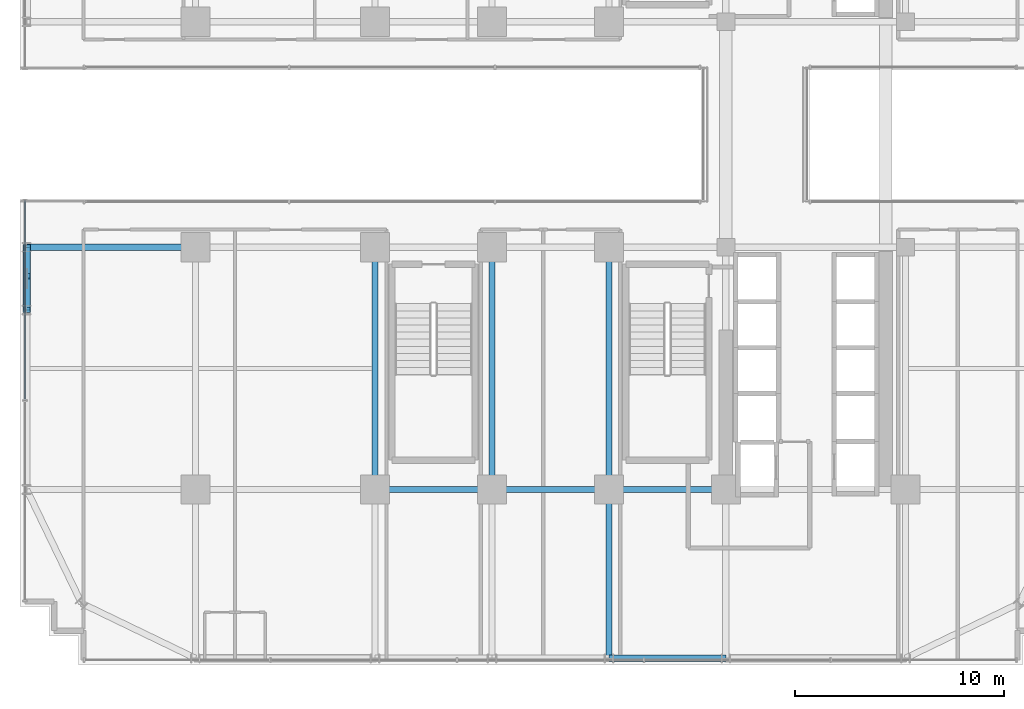
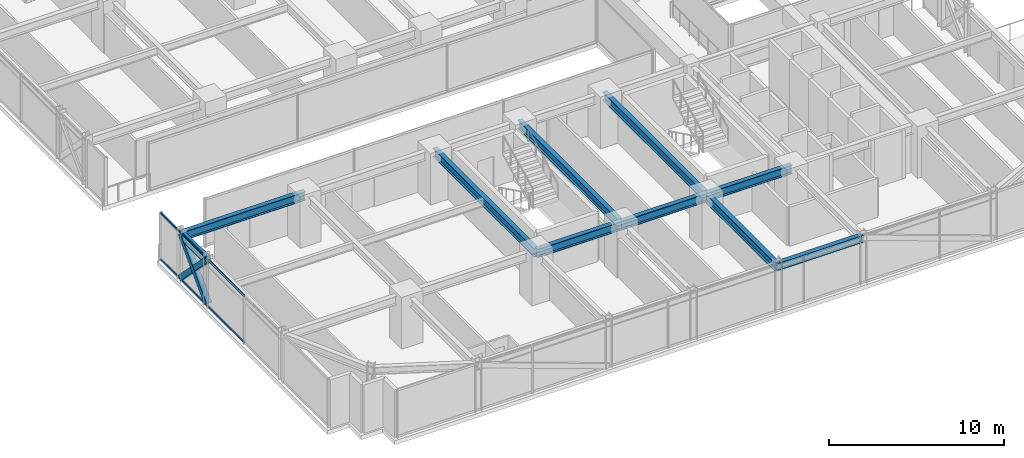
# One storey, part 8 of 41: 10 beams, 5 members, 1 element without a shape of its own.
"""IFC4 building model written with IfcOpenShell, lengths in metres."""

from ifc_helpers import new_model, si_unit, direction, frame, origin, origin_2d, place, context, subcontext, project, spatial, hollow_rectangle, i_section, extrude, source, transform, mapped, material, material_profile, profile_set, type_object, element, aggregate, save


model = new_model("IFC4")

# Units and contexts
model_context = context("Model", 3, precision=1e-05, world=origin(), true_north=direction((0.0, 1.0)))
body_context = subcontext(model_context, "Body", "Model", "MODEL_VIEW")
ifc_project = project(units=[si_unit("LENGTHUNIT", "METRE"), si_unit("AREAUNIT", "SQUARE_METRE"), si_unit("VOLUMEUNIT", "CUBIC_METRE"), si_unit("PLANEANGLEUNIT", "RADIAN"), si_unit("MASSUNIT", "GRAM", prefix="KILO")], contexts=[model_context])

# Site, building, storey
site_placement = place(None, origin())
site = spatial("IfcSite", under=ifc_project, at=site_placement, CompositionType="ELEMENT")
building_placement = place(site_placement, origin())
building = spatial("IfcBuilding", under=site, at=building_placement, Name="Nahalor Promenade Grand Hotel", CompositionType="ELEMENT")
storey_placement = place(building_placement, frame((0.0, 0.0, 54.300048828125)))
storey = spatial("IfcBuildingStorey", under=building, at=storey_placement, Name="L12", CompositionType="ELEMENT", Elevation=54.300048828125)

# Beams
ifc_material_1 = material(Name="Steel S355JR", Category="steel")
ifc_material_profile_1 = material_profile(ifc_material_1, i_section(OverallWidth=0.3, OverallDepth=0.6, WebThickness=0.0155, FlangeThickness=0.03, at=origin_2d()), Name="HEB 600")
ifc_profile_set_1 = profile_set([ifc_material_profile_1], Name="Steel S355JR")
beam_type_1 = type_object("IfcBeamType", Name="Beam-Girder-HEB600", PredefinedType="BEAM", material=ifc_profile_set_1)
shared_shape_1 = source(origin(), body_context, "Body", "SweptSolid", [
    extrude(i_section(OverallWidth=0.3, OverallDepth=0.6, WebThickness=0.0155, FlangeThickness=0.03, at=origin_2d()), origin(), (0.0, 0.0, 1.0), 5.599853515625),
])
for number, where, z_axis, x_axis, name in (
    (1, (-8.39990234375, -17.0, 3.070068359375), (1.0, 0.0, 0.0), (0.0, 1.0, 0.0), "BM-L12-GX-0-2"),
    (2, (2.800048828125, -17.0, 3.070068359375), (1.0, 0.0, 0.0), (0.0, 1.0, 0.0), "BM-L12-GX-0-4"),
):
    element("IfcBeam", number, at=place(storey_placement, frame(where, z_axis=z_axis, x_axis=x_axis)), inside=storey, type_object=beam_type_1, Name=name, PredefinedType="BEAM", context=body_context, shape_type="MappedRepresentation", body=[
        mapped(shared_shape_1, transform((0.0, 0.0, 0.0), scale=1.0)),
    ])
shared_shape_2 = source(origin(), body_context, "Body", "SweptSolid", [
    extrude(i_section(OverallWidth=0.3, OverallDepth=0.6, WebThickness=0.0155, FlangeThickness=0.03, at=origin_2d()), origin(), (0.0, 0.0, 1.0), 5.60009765625),
])
beam_1_placement = place(storey_placement, frame((-2.800048828125, -17.0, 3.070068359375), z_axis=(1.0, 0.0, 0.0), x_axis=(0.0, 1.0, 0.0)))
element("IfcBeam", 3, at=beam_1_placement, inside=storey, type_object=beam_type_1, Name="BM-L12-GX-0-3", PredefinedType="BEAM", context=body_context, shape_type="MappedRepresentation", body=[
    mapped(shared_shape_2, transform((0.0, 0.0, 0.0), scale=1.0)),
])
shared_shape_3 = source(origin(), body_context, "Body", "SweptSolid", [
    extrude(i_section(OverallWidth=0.3, OverallDepth=0.6, WebThickness=0.0155, FlangeThickness=0.03, at=origin_2d()), origin(), (0.0, 0.0, 1.0), 11.60009765625),
])
for number, where, z_axis, x_axis, name in (
    (4, (-8.39990234375, -17.0, 3.070068359375), (0.0, 1.0, 0.0), (-1.0, 0.0, 0.0), "BM-L12-GY-1-1"),
    (5, (-2.800048828125, -17.0, 3.070068359375), (0.0, 1.0, 0.0), (-1.0, 0.0, 0.0), "BM-L12-GY-2-1"),
    (6, (2.800048828125, -17.0, 3.070068359375), (0.0, 1.0, 0.0), (-1.0, 0.0, 0.0), "BM-L12-GY-3-1"),
):
    element("IfcBeam", number, at=place(storey_placement, frame(where, z_axis=z_axis, x_axis=x_axis)), inside=storey, type_object=beam_type_1, Name=name, PredefinedType="BEAM", context=body_context, shape_type="MappedRepresentation", body=[
        mapped(shared_shape_3, transform((0.0, 0.0, 0.0), scale=1.0)),
    ])
ifc_material_profile_2 = material_profile(ifc_material_1, i_section(OverallWidth=0.3, OverallDepth=0.5, WebThickness=0.0145, FlangeThickness=0.028, at=origin_2d()), Name="HEB 500")
ifc_profile_set_2 = profile_set([ifc_material_profile_2], Name="Steel S355JR")
beam_type_2 = type_object("IfcBeamType", Name="Beam-Spandrel-HEB500", PredefinedType="SPANDREL", material=ifc_profile_set_2)
shared_shape_4 = source(origin(), body_context, "Body", "SweptSolid", [
    extrude(i_section(OverallWidth=0.3, OverallDepth=0.5, WebThickness=0.0145, FlangeThickness=0.028, at=origin_2d()), origin(), (0.0, 0.0, 1.0), 5.599853515625),
])
beam_2_placement = place(storey_placement, frame((2.800048828125, -25.080078125, 3.119873046875), z_axis=(1.0, 0.0, 0.0), x_axis=(0.0, 1.0, 0.0)))
element("IfcBeam", 7, at=beam_2_placement, inside=storey, type_object=beam_type_2, Name="BM-L12-SP-S-3", PredefinedType="SPANDREL", context=body_context, shape_type="MappedRepresentation", body=[
    mapped(shared_shape_4, transform((0.0, 0.0, 0.0), scale=1.0)),
])
shared_shape_5 = source(origin(), body_context, "Body", "SweptSolid", [
    extrude(i_section(OverallWidth=0.3, OverallDepth=0.5, WebThickness=0.0145, FlangeThickness=0.028, at=origin_2d()), origin(), (0.0, 0.0, 1.0), 3.0),
])
beam_3_placement = place(storey_placement, frame((-25.080078125, -8.39990234375, 3.119873046875), z_axis=(0.0, 1.0, 0.0), x_axis=(-1.0, 0.0, 0.0)))
element("IfcBeam", 8, at=beam_3_placement, inside=storey, type_object=beam_type_2, Name="BM-L12-SP-W-1", PredefinedType="SPANDREL", context=body_context, shape_type="MappedRepresentation", body=[
    mapped(shared_shape_5, transform((0.0, 0.0, 0.0), scale=1.0)),
])
shared_shape_6 = source(origin(), body_context, "Body", "SweptSolid", [
    extrude(i_section(OverallWidth=0.3, OverallDepth=0.6, WebThickness=0.0155, FlangeThickness=0.03, at=origin_2d()), origin(), (0.0, 0.0, 1.0), 8.080078125),
])
for number, where, z_axis, x_axis, name in (
    (9, (-25.080078125, -5.39990234375, 3.070068359375), (1.0, 0.0, 0.0), (0.0, 1.0, 0.0), "BM-L12-GX-1-0"),
    (10, (2.800048828125, -25.080078125, 3.070068359375), (0.0, 1.0, 0.0), (-1.0, 0.0, 0.0), "BM-L12-GY-3-0"),
):
    element("IfcBeam", number, at=place(storey_placement, frame(where, z_axis=z_axis, x_axis=x_axis)), inside=storey, type_object=beam_type_1, Name=name, PredefinedType="BEAM", context=body_context, shape_type="MappedRepresentation", body=[
        mapped(shared_shape_6, transform((0.0, 0.0, 0.0), scale=1.0)),
    ])

# Members
ifc_material_profile_3 = material_profile(ifc_material_1, hollow_rectangle(XDim=0.35, YDim=0.35, WallThickness=0.02, at=origin_2d()), Name="SHS 350x350x20")
ifc_profile_set_3 = profile_set([ifc_material_profile_3], Name="Steel S355JR")
member_type_1 = type_object("IfcMemberType", Name="Mem-VoidBrace-SHS350", PredefinedType="BRACE", material=ifc_profile_set_3)
shared_shape_7 = source(origin(), body_context, "Body", "SweptSolid", [
    extrude(hollow_rectangle(XDim=0.35, YDim=0.35, WallThickness=0.02, at=origin_2d()), origin(), (0.0, 0.0, 1.0), 4.29248046875),
])
member_1_placement = place(storey_placement, frame((-25.080078125, -8.39990234375, 0.14990234375), z_axis=(0.0, 0.698897904453, 0.715221447631), x_axis=(-1.0, 0.0, 0.0)))
element("IfcMember", 11, at=member_1_placement, inside=storey, type_object=member_type_1, Name="EXO-L12-VX1-W0", PredefinedType="BRACE", context=body_context, shape_type="MappedRepresentation", body=[
    mapped(shared_shape_7, transform((0.0, 0.0, 0.0), scale=1.0)),
])
shared_shape_8 = source(origin(), body_context, "Body", "SweptSolid", [
    extrude(hollow_rectangle(XDim=0.35, YDim=0.35, WallThickness=0.02, at=origin_2d()), origin(), (0.0, 0.0, 1.0), 1.959228515625),
])
member_2_placement = place(storey_placement, frame((-25.080078125, -5.39990234375, 0.14990234375), z_axis=(0.0, -0.698898183234, 0.715221175212), x_axis=(1.0, 0.0, 0.0)))
element("IfcMember", 12, at=member_2_placement, inside=storey, type_object=member_type_1, Name="EXO-L12-VX2-W0A", PredefinedType="BRACE", context=body_context, shape_type="MappedRepresentation", body=[
    mapped(shared_shape_8, transform((0.0, 0.0, 0.0), scale=1.0)),
])
shared_shape_9 = source(origin(), body_context, "Body", "SweptSolid", [
    extrude(hollow_rectangle(XDim=0.35, YDim=0.35, WallThickness=0.02, at=origin_2d()), origin(), (0.0, 0.0, 1.0), 1.958984375),
])
member_3_placement = place(storey_placement, frame((-25.080078125, -7.03076171875, 1.81884765625), z_axis=(0.0, -0.698896728293, 0.715222596946), x_axis=(1.0, 0.0, 0.0)))
element("IfcMember", 13, at=member_3_placement, inside=storey, type_object=member_type_1, Name="EXO-L12-VX2-W0B", PredefinedType="BRACE", context=body_context, shape_type="MappedRepresentation", body=[
    mapped(shared_shape_9, transform((0.0, 0.0, 0.0), scale=1.0)),
])

# Curtain wall, members
ifc_material_2 = material(Name="Anodised Bronze Aluminium EN AW-6063 T6", Category="aluminium")
curtain_wall_type = type_object("IfcCurtainWallType", Name="CW3 Elliptical-Void Collar Unitised Curtain Wall", PredefinedType="USERDEFINED", material=ifc_material_2)
curtain_wall_placement = place(storey_placement, origin())
curtain_wall = element("IfcCurtainWall", 14, at=curtain_wall_placement, inside=storey, type_object=curtain_wall_type, Name="L12 Curtain Wall CW-L12-W-1", ObjectType="UNITISED_CURTAIN_WALL", PredefinedType="USERDEFINED")
ifc_material_profile_4 = material_profile(ifc_material_2, hollow_rectangle(XDim=0.07, YDim=0.14, WallThickness=0.004, at=origin_2d()), Name="CWT 70x140x4")
ifc_profile_set_4 = profile_set([ifc_material_profile_4], Name="Anodised Bronze Aluminium EN AW-6063 T6")
member_type_2 = type_object("IfcMemberType", Name="CWT3 Void Collar Transom 70x140", PredefinedType="USERDEFINED", material=ifc_profile_set_4)
shared_shape_10 = source(origin(), body_context, "Body", "SweptSolid", [
    extrude(hollow_rectangle(XDim=0.07, YDim=0.14, WallThickness=0.004, at=origin_2d()), origin(), (0.0, 0.0, 1.0), 9.525146484375),
])
member_4_placement = place(storey_placement, frame((-25.159912109375, -12.695068359375, 0.070068359375), z_axis=(0.0, 1.0, 0.0), x_axis=(-1.0, 0.0, 0.0)))
member_4 = element("IfcMember", 15, at=member_4_placement, type_object=member_type_2, Name="CW-L12-W-1 Transom 1-0", ObjectType="TRANSOM", PredefinedType="USERDEFINED", context=body_context, shape_type="MappedRepresentation", body=[
    mapped(shared_shape_10, transform((0.0, 0.0, 0.0), scale=1.0)),
])
member_5_placement = place(storey_placement, frame((-25.159912109375, -12.695068359375, 3.300048828125), z_axis=(0.0, 1.0, 0.0), x_axis=(-1.0, 0.0, 0.0)))
member_5 = element("IfcMember", 16, at=member_5_placement, type_object=member_type_2, Name="CW-L12-W-1 Transom 1-1", ObjectType="TRANSOM", PredefinedType="USERDEFINED", context=body_context, shape_type="MappedRepresentation", body=[
    mapped(shared_shape_10, transform((0.0, 0.0, 0.0), scale=1.0)),
])
aggregate(curtain_wall, [member_4, member_5])

save(model, "model.ifc")
